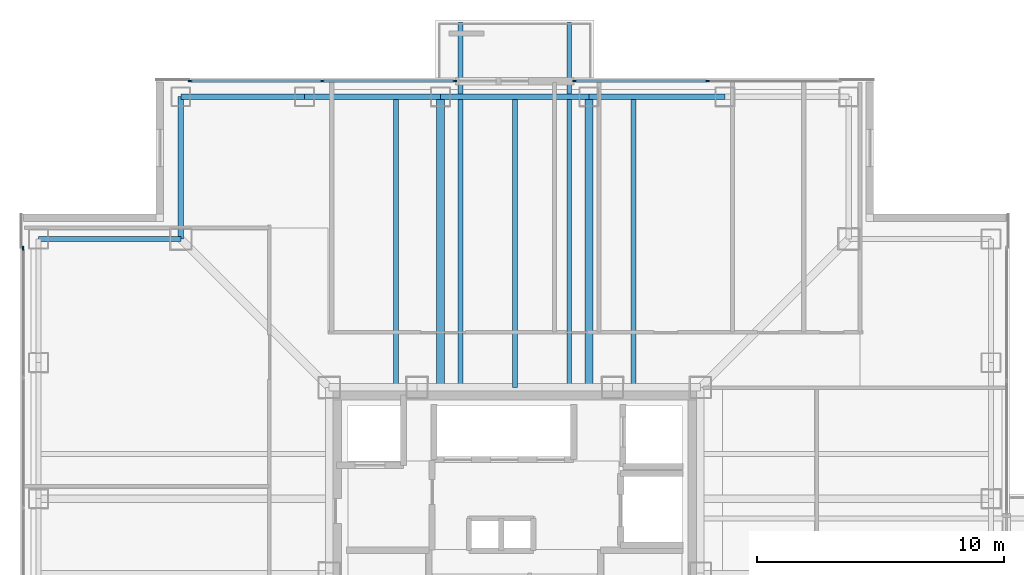
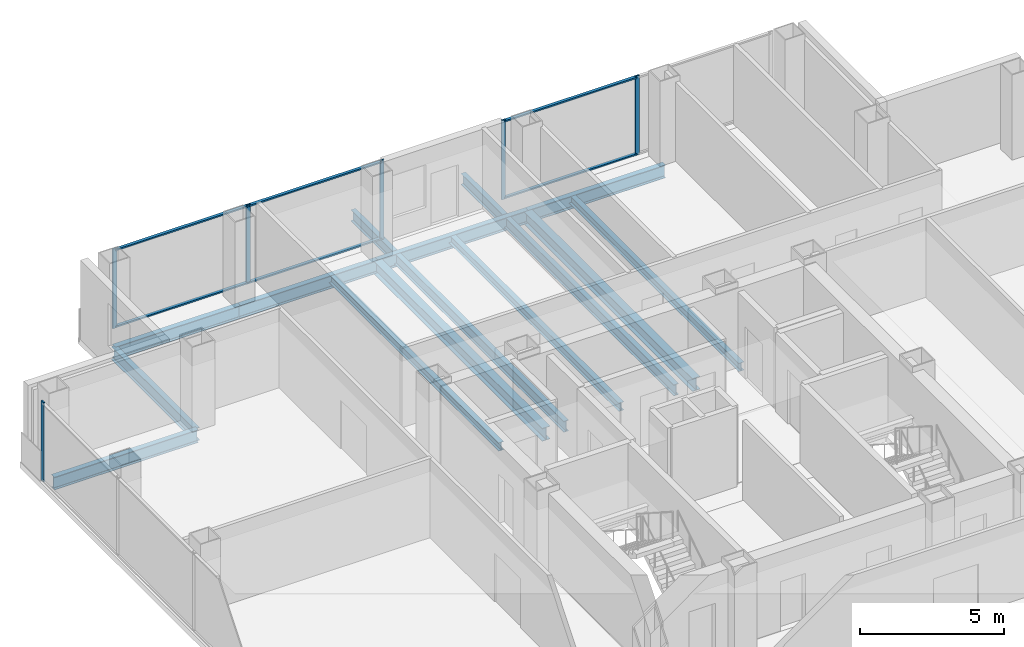
# One storey, part 7 of 17: 13 beams, 12 members, 3 elements without a shape of their own.
"""IFC4 building model written with IfcOpenShell, lengths in metres."""

from ifc_helpers import new_model, si_unit, direction, frame, origin, origin_2d, place, context, subcontext, project, spatial, rectangle, i_section, extrude, material, layer, layer_set, material_profile, profile_set, type_object, element, aggregate, save


model = new_model("IFC4")

# Units and contexts
model_context = context("Model", 3, precision=1e-05, world=origin(), true_north=direction((0.0, 1.0)))
body_context = subcontext(model_context, "Body", "Model", "MODEL_VIEW")
ifc_project = project(units=[si_unit("LENGTHUNIT", "METRE"), si_unit("AREAUNIT", "SQUARE_METRE"), si_unit("VOLUMEUNIT", "CUBIC_METRE"), si_unit("PLANEANGLEUNIT", "RADIAN"), si_unit("MASSUNIT", "GRAM", prefix="KILO")], contexts=[model_context])

# Site, building, storey
site_placement = place(None, origin())
site = spatial("IfcSite", under=ifc_project, at=site_placement, CompositionType="ELEMENT")
building_placement = place(site_placement, origin())
building = spatial("IfcBuilding", under=site, at=building_placement, Name="Trevonay Congress Spire", CompositionType="ELEMENT")
storey_placement = place(building_placement, frame((0.0, 0.0, 187.800048828125)))
storey = spatial("IfcBuildingStorey", under=building, at=storey_placement, Name="L48", CompositionType="ELEMENT", Elevation=187.800048828125)

# Beams
ifc_material_1 = material(Name="Steel ASTM A572 Grade 50", Category="steel")
ifc_material_profile_1 = material_profile(ifc_material_1, i_section(OverallWidth=0.194091796875, OverallDepth=0.468994140625, WebThickness=0.011474609375, FlangeThickness=0.01953125, FilletRadius=0.013916015625, at=origin_2d()), Name="W460x106")
ifc_profile_set_1 = profile_set([ifc_material_profile_1], Name="Steel ASTM A572 Grade 50")
beam_type_1 = type_object("IfcBeamType", Name="BM-BAL-LOOKOUT", PredefinedType="BEAM", material=ifc_profile_set_1)
for number, where, z_axis, x_axis, name in (
    (1, (-2.199951171875, 7.5, -0.474609375), (0.0, 1.0, 0.0), (-1.0, 0.0, 0.0), "L48 structural beam LKT-L48-N1"),
    (2, (2.199951171875, 7.5, -0.474609375), (0.0, 1.0, 0.0), (-1.0, 0.0, 0.0), "L48 structural beam LKT-L48-N2"),
):
    element("IfcBeam", number, at=place(storey_placement, frame(where, z_axis=z_axis, x_axis=x_axis)), inside=storey, type_object=beam_type_1, Name=name, PredefinedType="BEAM", context=body_context, shape_type="SweptSolid", body=[
        extrude(i_section(OverallWidth=0.194091796875, OverallDepth=0.468994140625, WebThickness=0.011474609375, FlangeThickness=0.01953125, FilletRadius=0.013916015625, at=origin_2d()), origin(), (0.0, 0.0, 1.0), 14.75),
    ])
ifc_material_profile_2 = material_profile(ifc_material_1, i_section(OverallWidth=0.31201171875, OverallDepth=0.54296875, WebThickness=0.0126953125, FlangeThickness=0.020263671875, FilletRadius=0.014892578125, at=origin_2d()), Name="W530x150")
ifc_profile_set_2 = profile_set([ifc_material_profile_2], Name="Steel ASTM A572 Grade 50")
beam_type_2 = type_object("IfcBeamType", Name="BM-GIRD-W530X150", PredefinedType="BEAM", material=ifc_profile_set_2)
for number, where, z_axis, x_axis, name in (
    (3, (-3.0, 7.5, -0.511474609375), (0.0, 1.0, 0.0), (-1.0, 0.0, 0.0), "L48 structural beam BM-L48-GN-M"),
    (4, (3.0, 7.5, -0.511474609375), (0.0, 1.0, 0.0), (-1.0, 0.0, 0.0), "L48 structural beam BM-L48-GN-P"),
):
    element("IfcBeam", number, at=place(storey_placement, frame(where, z_axis=z_axis, x_axis=x_axis)), inside=storey, type_object=beam_type_2, Name=name, PredefinedType="BEAM", context=body_context, shape_type="SweptSolid", body=[
        extrude(i_section(OverallWidth=0.31201171875, OverallDepth=0.54296875, WebThickness=0.0126953125, FlangeThickness=0.020263671875, FilletRadius=0.014892578125, at=origin_2d()), origin(), (0.0, 0.0, 1.0), 11.75),
    ])
ifc_material_profile_3 = material_profile(ifc_material_1, i_section(OverallWidth=0.2119140625, OverallDepth=0.5439453125, WebThickness=0.01318359375, FlangeThickness=0.021240234375, FilletRadius=0.014892578125, at=origin_2d()), Name="W530x123")
ifc_profile_set_3 = profile_set([ifc_material_profile_3], Name="Steel ASTM A572 Grade 50")
beam_type_3 = type_object("IfcBeamType", Name="BM-RING-W530X123", PredefinedType="BEAM", material=ifc_profile_set_3)
beam_1_placement = place(storey_placement, frame((-13.5, 19.25, -0.511962890625), z_axis=(1.0, 0.0, 0.0), x_axis=(0.0, 1.0, 0.0)))
element("IfcBeam", 5, at=beam_1_placement, inside=storey, type_object=beam_type_3, Name="L48 structural beam BM-L48-PN1", PredefinedType="BEAM", context=body_context, shape_type="SweptSolid", body=[
    extrude(i_section(OverallWidth=0.2119140625, OverallDepth=0.5439453125, WebThickness=0.01318359375, FlangeThickness=0.021240234375, FilletRadius=0.014892578125, at=origin_2d()), origin(), (0.0, 0.0, 1.0), 5.0),
])
beam_2_placement = place(storey_placement, frame((-8.5, 19.25, -0.511962890625), z_axis=(1.0, 0.0, 0.0), x_axis=(0.0, 1.0, 0.0)))
element("IfcBeam", 6, at=beam_2_placement, inside=storey, type_object=beam_type_3, Name="L48 structural beam BM-L48-PN2", PredefinedType="BEAM", context=body_context, shape_type="SweptSolid", body=[
    extrude(i_section(OverallWidth=0.2119140625, OverallDepth=0.5439453125, WebThickness=0.01318359375, FlangeThickness=0.021240234375, FilletRadius=0.014892578125, at=origin_2d()), origin(), (0.0, 0.0, 1.0), 5.5),
])
beam_3_placement = place(storey_placement, frame((-3.0, 19.25, -0.511962890625), z_axis=(1.0, 0.0, 0.0), x_axis=(0.0, 1.0, 0.0)))
element("IfcBeam", 7, at=beam_3_placement, inside=storey, type_object=beam_type_3, Name="L48 structural beam BM-L48-PN3", PredefinedType="BEAM", context=body_context, shape_type="SweptSolid", body=[
    extrude(i_section(OverallWidth=0.2119140625, OverallDepth=0.5439453125, WebThickness=0.01318359375, FlangeThickness=0.021240234375, FilletRadius=0.014892578125, at=origin_2d()), origin(), (0.0, 0.0, 1.0), 6.0),
])
beam_4_placement = place(storey_placement, frame((3.0, 19.25, -0.511962890625), z_axis=(1.0, 0.0, 0.0), x_axis=(0.0, 1.0, 0.0)))
element("IfcBeam", 8, at=beam_4_placement, inside=storey, type_object=beam_type_3, Name="L48 structural beam BM-L48-PN4", PredefinedType="BEAM", context=body_context, shape_type="SweptSolid", body=[
    extrude(i_section(OverallWidth=0.2119140625, OverallDepth=0.5439453125, WebThickness=0.01318359375, FlangeThickness=0.021240234375, FilletRadius=0.014892578125, at=origin_2d()), origin(), (0.0, 0.0, 1.0), 5.5),
])
for number, where, z_axis, x_axis, name in (
    (9, (-13.5, 19.25, -0.511962890625), (0.0, -1.0, 0.0), (1.0, 0.0, 0.0), "L48 structural beam BM-L48-N1NW"),
    (10, (-19.25, 13.5, -0.511962890625), (1.0, 0.0, 0.0), (0.0, 1.0, 0.0), "L48 structural beam BM-L48-N2NW"),
):
    element("IfcBeam", number, at=place(storey_placement, frame(where, z_axis=z_axis, x_axis=x_axis)), inside=storey, type_object=beam_type_3, Name=name, PredefinedType="BEAM", context=body_context, shape_type="SweptSolid", body=[
        extrude(i_section(OverallWidth=0.2119140625, OverallDepth=0.5439453125, WebThickness=0.01318359375, FlangeThickness=0.021240234375, FilletRadius=0.014892578125, at=origin_2d()), origin(), (0.0, 0.0, 1.0), 5.75),
    ])

# Curtain wall, members
ifc_material_2 = material(Name="Pale Anodised Aluminium EN AW-6063-T6", Category="aluminium")
ifc_layer = layer(ifc_material_2, 0.169921875, Name="Pale Anodised Aluminium EN AW-6063-T6")
ifc_layer_set = layer_set([ifc_layer], Name="Pale Anodised Aluminium EN AW-6063-T6")
curtain_wall_type = type_object("IfcCurtainWallType", Name="CW-SYS04-CORP-PALE-METAL", PredefinedType="NOTDEFINED", material=ifc_layer_set)
curtain_wall_1_placement = place(storey_placement, origin())
curtain_wall_1 = element("IfcCurtainWall", 11, at=curtain_wall_1_placement, inside=storey, type_object=curtain_wall_type, Name="L48 NA unitised curtain wall", PredefinedType="NOTDEFINED")
ifc_material_profile_4 = material_profile(ifc_material_2, rectangle(XDim=0.06005859375, YDim=0.159912109375, at=origin_2d()), Name="CW-MULLION-160-ALUMINIUM")
ifc_profile_set_4 = profile_set([ifc_material_profile_4], Name="Pale Anodised Aluminium EN AW-6063-T6")
member_type_1 = type_object("IfcMemberType", Name="CW-MULLION-160-ALUMINIUM", PredefinedType="MULLION", material=ifc_profile_set_4)
member_1_placement = place(storey_placement, frame((-13.1201171875, 19.8798828125, 0.0), z_axis=(0.0, 0.0, 1.0), x_axis=(0.0, 1.0, 0.0)))
member_1 = element("IfcMember", 12, at=member_1_placement, type_object=member_type_1, Name="CW04 mullion 1", PredefinedType="MULLION", context=body_context, shape_type="SweptSolid", body=[
    extrude(rectangle(XDim=0.06005859375, YDim=0.159912109375, at=origin_2d()), origin(), (0.0, 0.0, 1.0), 3.35986328125),
])
member_2_placement = place(storey_placement, frame((-7.77490234375, 19.8798828125, 0.0), z_axis=(0.0, 0.0, 1.0), x_axis=(0.0, 1.0, 0.0)))
member_2 = element("IfcMember", 13, at=member_2_placement, type_object=member_type_1, Name="CW04 mullion 2", PredefinedType="MULLION", context=body_context, shape_type="SweptSolid", body=[
    extrude(rectangle(XDim=0.06005859375, YDim=0.159912109375, at=origin_2d()), origin(), (0.0, 0.0, 1.0), 3.35986328125),
])
member_3_placement = place(storey_placement, frame((-2.429931640625, 19.8798828125, 0.0), z_axis=(0.0, 0.0, 1.0), x_axis=(0.0, 1.0, 0.0)))
member_3 = element("IfcMember", 14, at=member_3_placement, type_object=member_type_1, Name="CW04 mullion 3", PredefinedType="MULLION", context=body_context, shape_type="SweptSolid", body=[
    extrude(rectangle(XDim=0.06005859375, YDim=0.159912109375, at=origin_2d()), origin(), (0.0, 0.0, 1.0), 3.35986328125),
])

curtain_wall_2_placement = place(storey_placement, origin())
curtain_wall_2 = element("IfcCurtainWall", 15, at=curtain_wall_2_placement, inside=storey, type_object=curtain_wall_type, Name="L48 NB unitised curtain wall", PredefinedType="NOTDEFINED")
member_4_placement = place(storey_placement, frame((2.429931640625, 19.8798828125, 0.0), z_axis=(0.0, 0.0, 1.0), x_axis=(0.0, 1.0, 0.0)))
member_4 = element("IfcMember", 16, at=member_4_placement, type_object=member_type_1, Name="CW04 mullion 1", PredefinedType="MULLION", context=body_context, shape_type="SweptSolid", body=[
    extrude(rectangle(XDim=0.06005859375, YDim=0.159912109375, at=origin_2d()), origin(), (0.0, 0.0, 1.0), 3.35986328125),
])
member_5_placement = place(storey_placement, frame((7.77490234375, 19.8798828125, 0.0), z_axis=(0.0, 0.0, 1.0), x_axis=(0.0, 1.0, 0.0)))
member_5 = element("IfcMember", 17, at=member_5_placement, type_object=member_type_1, Name="CW04 mullion 2", PredefinedType="MULLION", context=body_context, shape_type="SweptSolid", body=[
    extrude(rectangle(XDim=0.06005859375, YDim=0.159912109375, at=origin_2d()), origin(), (0.0, 0.0, 1.0), 3.35986328125),
])

# Curtain wall, member
curtain_wall_3_placement = place(storey_placement, origin())
curtain_wall_3 = element("IfcCurtainWall", 18, at=curtain_wall_3_placement, inside=storey, type_object=curtain_wall_type, Name="L48 W unitised curtain wall", PredefinedType="NOTDEFINED")
member_6_placement = place(storey_placement, frame((-19.8798828125, 13.1201171875, 0.0), z_axis=(0.0, 0.0, 1.0), x_axis=(-1.0, 0.0, 0.0)))
member_6 = element("IfcMember", 19, at=member_6_placement, type_object=member_type_1, Name="CW04 mullion 6", PredefinedType="MULLION", context=body_context, shape_type="SweptSolid", body=[
    extrude(rectangle(XDim=0.06005859375, YDim=0.159912109375, at=origin_2d()), origin(), (0.0, 0.0, 1.0), 3.35986328125),
])
aggregate(curtain_wall_3, [member_6])

# Member
ifc_material_profile_5 = material_profile(ifc_material_2, rectangle(XDim=0.1201171875, YDim=0.06005859375, at=origin_2d()), Name="CW-TRANSOM-120-ALUMINIUM")
ifc_profile_set_5 = profile_set([ifc_material_profile_5], Name="Pale Anodised Aluminium EN AW-6063-T6")
member_type_2 = type_object("IfcMemberType", Name="CW-TRANSOM-120-ALUMINIUM", PredefinedType="USERDEFINED", material=ifc_profile_set_5)
member_7_placement = place(storey_placement, frame((-13.090087890625, 19.8798828125, 0.06005859375), z_axis=(1.0, 0.0, 0.0), x_axis=(0.0, 1.0, 0.0)))
member_7 = element("IfcMember", 20, at=member_7_placement, type_object=member_type_2, Name="CW04 transom 1.1", ObjectType="TRANSOM", PredefinedType="USERDEFINED", context=body_context, shape_type="SweptSolid", body=[
    extrude(rectangle(XDim=0.1201171875, YDim=0.06005859375, at=origin_2d()), origin(), (0.0, 0.0, 1.0), 5.28515625),
])

member_8_placement = place(storey_placement, frame((-13.090087890625, 19.8798828125, 3.300048828125), z_axis=(1.0, 0.0, 0.0), x_axis=(0.0, 1.0, 0.0)))
member_8 = element("IfcMember", 21, at=member_8_placement, type_object=member_type_2, Name="CW04 transom 1.2", ObjectType="TRANSOM", PredefinedType="USERDEFINED", context=body_context, shape_type="SweptSolid", body=[
    extrude(rectangle(XDim=0.1201171875, YDim=0.06005859375, at=origin_2d()), origin(), (0.0, 0.0, 1.0), 5.28515625),
])

member_9_placement = place(storey_placement, frame((-7.7451171875, 19.8798828125, 0.06005859375), z_axis=(1.0, 0.0, 0.0), x_axis=(0.0, 1.0, 0.0)))
member_9 = element("IfcMember", 22, at=member_9_placement, type_object=member_type_2, Name="CW04 transom 2.1", ObjectType="TRANSOM", PredefinedType="USERDEFINED", context=body_context, shape_type="SweptSolid", body=[
    extrude(rectangle(XDim=0.1201171875, YDim=0.06005859375, at=origin_2d()), origin(), (0.0, 0.0, 1.0), 5.28515625),
])

member_10_placement = place(storey_placement, frame((-7.7451171875, 19.8798828125, 3.300048828125), z_axis=(1.0, 0.0, 0.0), x_axis=(0.0, 1.0, 0.0)))
member_10 = element("IfcMember", 23, at=member_10_placement, type_object=member_type_2, Name="CW04 transom 2.2", ObjectType="TRANSOM", PredefinedType="USERDEFINED", context=body_context, shape_type="SweptSolid", body=[
    extrude(rectangle(XDim=0.1201171875, YDim=0.06005859375, at=origin_2d()), origin(), (0.0, 0.0, 1.0), 5.28515625),
])

aggregate(curtain_wall_1, [member_1, member_2, member_3, member_7, member_8, member_9, member_10])

member_11_placement = place(storey_placement, frame((2.4599609375, 19.8798828125, 0.06005859375), z_axis=(1.0, 0.0, 0.0), x_axis=(0.0, 1.0, 0.0)))
member_11 = element("IfcMember", 24, at=member_11_placement, type_object=member_type_2, Name="CW04 transom 1.1", ObjectType="TRANSOM", PredefinedType="USERDEFINED", context=body_context, shape_type="SweptSolid", body=[
    extrude(rectangle(XDim=0.1201171875, YDim=0.06005859375, at=origin_2d()), origin(), (0.0, 0.0, 1.0), 5.28515625),
])

member_12_placement = place(storey_placement, frame((2.4599609375, 19.8798828125, 3.300048828125), z_axis=(1.0, 0.0, 0.0), x_axis=(0.0, 1.0, 0.0)))
member_12 = element("IfcMember", 25, at=member_12_placement, type_object=member_type_2, Name="CW04 transom 1.2", ObjectType="TRANSOM", PredefinedType="USERDEFINED", context=body_context, shape_type="SweptSolid", body=[
    extrude(rectangle(XDim=0.1201171875, YDim=0.06005859375, at=origin_2d()), origin(), (0.0, 0.0, 1.0), 5.28515625),
])

aggregate(curtain_wall_2, [member_4, member_5, member_11, member_12])

# Beams
ifc_material_profile_6 = material_profile(ifc_material_1, i_section(OverallWidth=0.205078125, OverallDepth=0.35400390625, WebThickness=0.009521484375, FlangeThickness=0.016845703125, FilletRadius=0.011962890625, at=origin_2d()), Name="W360x79")
ifc_profile_set_6 = profile_set([ifc_material_profile_6], Name="Steel ASTM A572 Grade 50")
beam_type_4 = type_object("IfcBeamType", Name="JS-COMP-W360X79", PredefinedType="JOIST", material=ifc_profile_set_6)
for number, where, z_axis, x_axis, name in (
    (26, (-4.800048828125, 7.5, -0.4169921875), (0.0, 1.0, 0.0), (-1.0, 0.0, 0.0), "L48 structural beam JS-L48-NS-N1"),
    (27, (0.0, 7.5, -0.4169921875), (0.0, 1.0, 0.0), (-1.0, 0.0, 0.0), "L48 structural beam JS-L48-NS-N2"),
    (28, (4.800048828125, 7.5, -0.4169921875), (0.0, 1.0, 0.0), (-1.0, 0.0, 0.0), "L48 structural beam JS-L48-NS-N3"),
):
    element("IfcBeam", number, at=place(storey_placement, frame(where, z_axis=z_axis, x_axis=x_axis)), inside=storey, type_object=beam_type_4, Name=name, PredefinedType="JOIST", context=body_context, shape_type="SweptSolid", body=[
        extrude(i_section(OverallWidth=0.205078125, OverallDepth=0.35400390625, WebThickness=0.009521484375, FlangeThickness=0.016845703125, FilletRadius=0.011962890625, at=origin_2d()), origin(), (0.0, 0.0, 1.0), 11.75),
    ])

save(model, "model.ifc")
